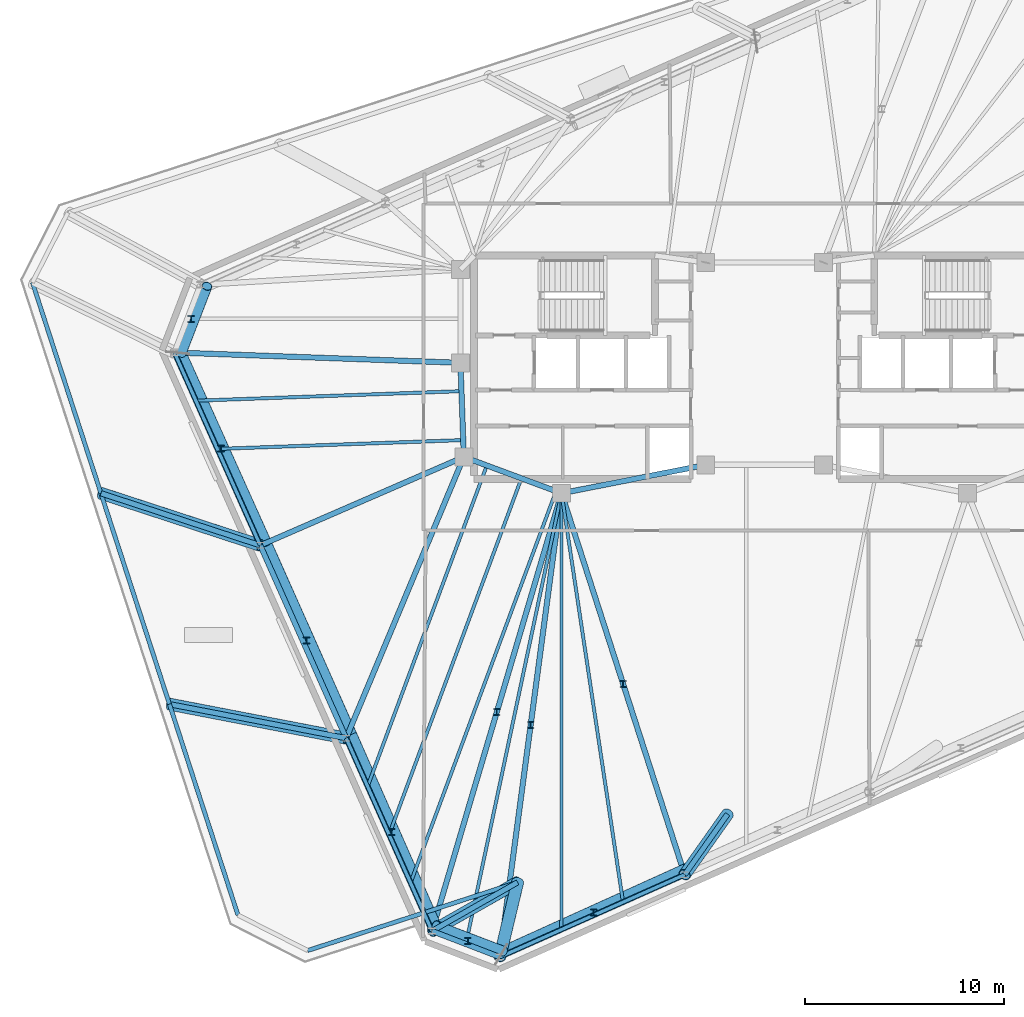
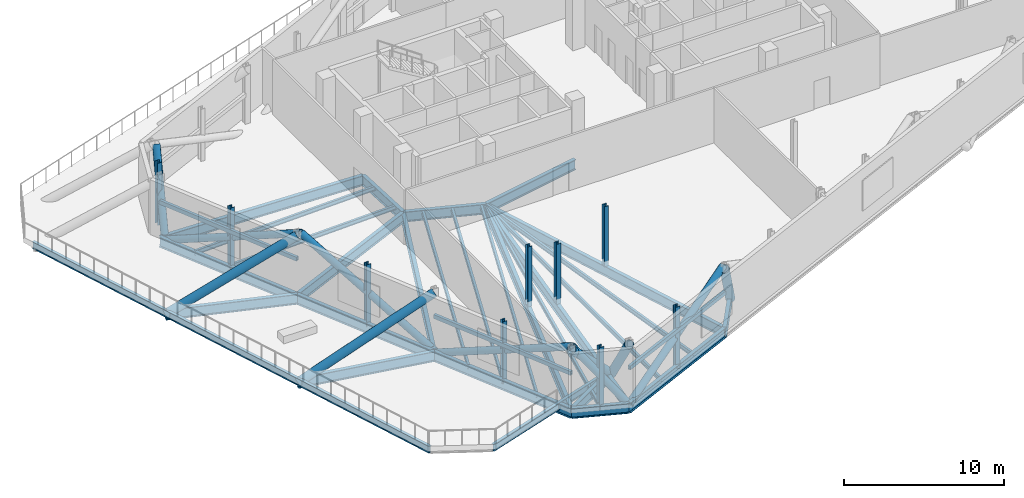
# One storey, part 4 of 15: 30 beams, 23 members.
"""IFC4 building model written with IfcOpenShell, lengths in metres."""

from ifc_helpers import new_model, si_unit, direction, frame, origin, origin_2d, place, context, subcontext, project, spatial, hollow_rectangle, hollow_circle, i_section, extrude, material, material_profile, profile_set, type_object, element, save


model = new_model("IFC4")

# Units and contexts
model_context = context("Model", 3, precision=1e-05, world=origin(), true_north=direction((0.0, 1.0)))
body_context = subcontext(model_context, "Body", "Model", "MODEL_VIEW")
ifc_project = project(units=[si_unit("LENGTHUNIT", "METRE"), si_unit("AREAUNIT", "SQUARE_METRE"), si_unit("VOLUMEUNIT", "CUBIC_METRE"), si_unit("PLANEANGLEUNIT", "RADIAN"), si_unit("MASSUNIT", "GRAM", prefix="KILO")], contexts=[model_context])

# Site, building, storey
site_placement = place(None, origin())
site = spatial("IfcSite", under=ifc_project, at=site_placement, CompositionType="ELEMENT")
building_placement = place(site_placement, origin())
building = spatial("IfcBuilding", under=site, at=building_placement, Name="Menara Jurai Vektor", CompositionType="ELEMENT")
storey_placement = place(building_placement, frame((0.0, 0.0, 254.449951171875)))
storey = spatial("IfcBuildingStorey", under=building, at=storey_placement, Name="L68", CompositionType="ELEMENT", Elevation=254.449951171875)

# Beams
ifc_material_1 = material(Name="Steel S355", Category="steel")
ifc_material_profile_1 = material_profile(ifc_material_1, i_section(OverallWidth=0.2109375, OverallDepth=0.5390625, WebThickness=0.011962890625, FlangeThickness=0.01904296875, FilletRadius=0.012939453125, at=origin_2d()), Name="UKB 533x210x109")
ifc_profile_set_1 = profile_set([ifc_material_profile_1], Name="Steel S355")
beam_type_1 = type_object("IfcBeamType", Name="STR-BM-533", PredefinedType="BEAM", material=ifc_profile_set_1)
beam_1_placement = place(storey_placement, frame((-22.912841796875, -29.2509765625, -0.674560546875), z_axis=(0.951057401967, 0.309014268544, 0.0), x_axis=(-0.309014268544, 0.951057401967, 0.0)))
element("IfcBeam", 1, at=beam_1_placement, inside=storey, type_object=beam_type_1, Name="Step Terrace Edge Beam L68-01", PredefinedType="BEAM", context=body_context, shape_type="SweptSolid", body=[
    extrude(i_section(OverallWidth=0.2109375, OverallDepth=0.5390625, WebThickness=0.011962890625, FlangeThickness=0.01904296875, FilletRadius=0.012939453125, at=origin_2d()), origin(), (0.0, 0.0, 1.0), 11.071044921875),
])
beam_2_placement = place(storey_placement, frame((-36.71337890625, 4.251953125, -0.674560546875), z_axis=(0.309012092614, -0.95105810896, 0.0), x_axis=(0.95105810896, 0.309012092614, 0.0)))
element("IfcBeam", 2, at=beam_2_placement, inside=storey, type_object=beam_type_1, Name="Step Terrace Edge Beam L68-17", PredefinedType="BEAM", context=body_context, shape_type="SweptSolid", body=[
    extrude(i_section(OverallWidth=0.2109375, OverallDepth=0.5390625, WebThickness=0.011962890625, FlangeThickness=0.01904296875, FilletRadius=0.012939453125, at=origin_2d()), origin(), (0.0, 0.0, 1.0), 11.11865234375),
])
beam_3_placement = place(storey_placement, frame((-33.277587890625, -6.322509765625, -0.674560546875), z_axis=(0.309018545885, -0.951056012178, 0.0), x_axis=(0.951056012178, 0.309018545885, 0.0)))
element("IfcBeam", 3, at=beam_3_placement, inside=storey, type_object=beam_type_1, Name="Step Terrace Edge Beam L68-18", PredefinedType="BEAM", context=body_context, shape_type="SweptSolid", body=[
    extrude(i_section(OverallWidth=0.2109375, OverallDepth=0.5390625, WebThickness=0.011962890625, FlangeThickness=0.01904296875, FilletRadius=0.012939453125, at=origin_2d()), origin(), (0.0, 0.0, 1.0), 11.118408203125),
])
beam_4_placement = place(storey_placement, frame((-29.841796875, -16.896728515625, -0.674560546875), z_axis=(0.309012092614, -0.95105810896, 0.0), x_axis=(0.95105810896, 0.309012092614, 0.0)))
element("IfcBeam", 4, at=beam_4_placement, inside=storey, type_object=beam_type_1, Name="Step Terrace Edge Beam L68-19", PredefinedType="BEAM", context=body_context, shape_type="SweptSolid", body=[
    extrude(i_section(OverallWidth=0.2109375, OverallDepth=0.5390625, WebThickness=0.011962890625, FlangeThickness=0.01904296875, FilletRadius=0.012939453125, at=origin_2d()), origin(), (0.0, 0.0, 1.0), 11.11865234375),
])
ifc_material_2 = material(Name="Steel S460", Category="steel")
ifc_material_profile_2 = material_profile(ifc_material_2, i_section(OverallWidth=0.26806640625, OverallDepth=0.77001953125, WebThickness=0.01611328125, FlangeThickness=0.02490234375, FilletRadius=0.01708984375, at=origin_2d()), Name="UKB 762x267x197")
ifc_profile_set_2 = profile_set([ifc_material_profile_2], Name="Steel S460")
beam_type_2 = type_object("IfcBeamType", Name="STR-BM-TR762", PredefinedType="BEAM", material=ifc_profile_set_2)
beam_5_placement = place(storey_placement, frame((-15.080078125, -4.5, -0.7900390625), z_axis=(-0.035977314146, 0.999352606874, 0.0), x_axis=(-0.999352606874, -0.035977314146, 0.0)))
element("IfcBeam", 5, at=beam_5_placement, inside=storey, type_object=beam_type_2, Name="Core Ring Header Girder L68-CHW-W2", PredefinedType="BEAM", context=body_context, shape_type="SweptSolid", body=[
    extrude(i_section(OverallWidth=0.26806640625, OverallDepth=0.77001953125, WebThickness=0.01611328125, FlangeThickness=0.02490234375, FilletRadius=0.01708984375, at=origin_2d()), origin(), (0.0, 0.0, 1.0), 4.72314453125),
])
beam_6_placement = place(storey_placement, frame((-15.080078125, -4.5, -0.7900390625), z_axis=(0.937424400887, -0.348188874925, 0.0), x_axis=(0.348188874925, 0.937424400887, 0.0)))
element("IfcBeam", 6, at=beam_6_placement, inside=storey, type_object=beam_type_2, Name="Core Ring Header Girder L68-CHW-S1", PredefinedType="BEAM", context=body_context, shape_type="SweptSolid", body=[
    extrude(i_section(OverallWidth=0.26806640625, OverallDepth=0.77001953125, WebThickness=0.01611328125, FlangeThickness=0.02490234375, FilletRadius=0.01708984375, at=origin_2d()), origin(), (0.0, 0.0, 1.0), 5.227294921875),
])
beam_7_placement = place(storey_placement, frame((-10.179931640625, -6.320068359375, -0.7900390625), z_axis=(0.981249044334, 0.192744164614, 0.0), x_axis=(-0.192744164614, 0.981249044334, 0.0)))
element("IfcBeam", 7, at=beam_7_placement, inside=storey, type_object=beam_type_2, Name="Core Ring Header Girder L68-CHW-S2", PredefinedType="BEAM", context=body_context, shape_type="SweptSolid", body=[
    extrude(i_section(OverallWidth=0.26806640625, OverallDepth=0.77001953125, WebThickness=0.01611328125, FlangeThickness=0.02490234375, FilletRadius=0.01708984375, at=origin_2d()), origin(), (0.0, 0.0, 1.0), 7.3681640625),
])
beam_8_placement = place(storey_placement, frame((-13.279541015625, -29.576904296875, -0.7900390625), z_axis=(0.913550519143, 0.406725274569, 0.0), x_axis=(-0.406725274569, 0.913550519143, 0.0)))
element("IfcBeam", 8, at=beam_8_placement, inside=storey, type_object=beam_type_2, Name="Belt Truss Bottom Chord L68-01", PredefinedType="BEAM", context=body_context, shape_type="SweptSolid", body=[
    extrude(i_section(OverallWidth=0.26806640625, OverallDepth=0.77001953125, WebThickness=0.01611328125, FlangeThickness=0.02490234375, FilletRadius=0.01708984375, at=origin_2d()), origin(), (0.0, 0.0, 1.0), 10.15087890625),
])
beam_9_placement = place(storey_placement, frame((-13.279541015625, -29.576904296875, -0.7900390625), z_axis=(0.132109192855, 0.991235169454, 0.0), x_axis=(-0.991235169454, 0.132109192855, 0.0)))
element("IfcBeam", 9, at=beam_9_placement, inside=storey, type_object=beam_type_2, Name="Outrigger Transfer Girder L68-S1", PredefinedType="BEAM", context=body_context, shape_type="SweptSolid", body=[
    extrude(i_section(OverallWidth=0.26806640625, OverallDepth=0.77001953125, WebThickness=0.01611328125, FlangeThickness=0.02490234375, FilletRadius=0.01708984375, at=origin_2d()), origin(), (0.0, 0.0, 1.0), 23.46240234375),
])
beam_10_placement = place(storey_placement, frame((-1.854248046875, -22.40869140625, -0.7900390625), z_axis=(-0.577809968334, -0.816171330356, 0.0), x_axis=(0.816171330356, -0.577809968334, 0.0)))
element("IfcBeam", 10, at=beam_10_placement, inside=storey, type_object=beam_type_2, Name="Cantilever Transfer Girder L68-S2", PredefinedType="BEAM", context=body_context, shape_type="SweptSolid", body=[
    extrude(i_section(OverallWidth=0.26806640625, OverallDepth=0.77001953125, WebThickness=0.01611328125, FlangeThickness=0.02490234375, FilletRadius=0.01708984375, at=origin_2d()), origin(), (0.0, 0.0, 1.0), 3.72412109375),
])
beam_11_placement = place(storey_placement, frame((-4.006103515625, -25.4482421875, -0.7900390625), z_axis=(-0.307158217721, 0.95165846252, 0.0), x_axis=(-0.95165846252, -0.307158217721, 0.0)))
element("IfcBeam", 11, at=beam_11_placement, inside=storey, type_object=beam_type_2, Name="Outrigger Transfer Girder L68-S2", PredefinedType="BEAM", context=body_context, shape_type="SweptSolid", body=[
    extrude(i_section(OverallWidth=0.26806640625, OverallDepth=0.77001953125, WebThickness=0.01611328125, FlangeThickness=0.02490234375, FilletRadius=0.01708984375, at=origin_2d()), origin(), (0.0, 0.0, 1.0), 20.099853515625),
])
beam_12_placement = place(storey_placement, frame((-29.591796875, 0.73681640625, -0.7900390625), z_axis=(0.40673543049, -0.91354599752, 0.0), x_axis=(0.91354599752, 0.40673543049, 0.0)))
element("IfcBeam", 12, at=beam_12_placement, inside=storey, type_object=beam_type_2, Name="Belt Truss Bottom Chord L68-17", PredefinedType="BEAM", context=body_context, shape_type="SweptSolid", body=[
    extrude(i_section(OverallWidth=0.26806640625, OverallDepth=0.77001953125, WebThickness=0.01611328125, FlangeThickness=0.02490234375, FilletRadius=0.01708984375, at=origin_2d()), origin(), (0.0, 0.0, 1.0), 10.585205078125),
])
beam_13_placement = place(storey_placement, frame((-29.591796875, 0.73681640625, -0.7900390625), z_axis=(0.999351273077, -0.03601434436, 0.0), x_axis=(0.03601434436, 0.999351273077, 0.0)))
element("IfcBeam", 13, at=beam_13_placement, inside=storey, type_object=beam_type_2, Name="Outrigger Transfer Girder L68-W1", PredefinedType="BEAM", context=body_context, shape_type="SweptSolid", body=[
    extrude(i_section(OverallWidth=0.26806640625, OverallDepth=0.77001953125, WebThickness=0.01611328125, FlangeThickness=0.02490234375, FilletRadius=0.01708984375, at=origin_2d()), origin(), (0.0, 0.0, 1.0), 14.35107421875),
])
beam_14_placement = place(storey_placement, frame((-25.286376953125, -8.933349609375, -0.7900390625), z_axis=(0.406744000616, -0.913542181819, 0.0), x_axis=(0.913542181819, 0.406744000616, 0.0)))
element("IfcBeam", 14, at=beam_14_placement, inside=storey, type_object=beam_type_2, Name="Belt Truss Bottom Chord L68-18", PredefinedType="BEAM", context=body_context, shape_type="SweptSolid", body=[
    extrude(i_section(OverallWidth=0.26806640625, OverallDepth=0.77001953125, WebThickness=0.01611328125, FlangeThickness=0.02490234375, FilletRadius=0.01708984375, at=origin_2d()), origin(), (0.0, 0.0, 1.0), 10.585205078125),
])
beam_15_placement = place(storey_placement, frame((-33.277587890625, -6.322509765625, -0.7900390625), z_axis=(0.950554029613, -0.310559232332, 0.0), x_axis=(0.310559232332, 0.950554029613, 0.0)))
element("IfcBeam", 15, at=beam_15_placement, inside=storey, type_object=beam_type_2, Name="Cantilever Transfer Girder L68-W2", PredefinedType="BEAM", context=body_context, shape_type="SweptSolid", body=[
    extrude(i_section(OverallWidth=0.26806640625, OverallDepth=0.77001953125, WebThickness=0.01611328125, FlangeThickness=0.02490234375, FilletRadius=0.01708984375, at=origin_2d()), origin(), (0.0, 0.0, 1.0), 8.406982421875),
])
beam_16_placement = place(storey_placement, frame((-25.286376953125, -8.933349609375, -0.7900390625), z_axis=(0.917207084259, 0.398410798781, 0.0), x_axis=(-0.398410798781, 0.917207084259, 0.0)))
element("IfcBeam", 16, at=beam_16_placement, inside=storey, type_object=beam_type_2, Name="Outrigger Transfer Girder L68-W2", PredefinedType="BEAM", context=body_context, shape_type="SweptSolid", body=[
    extrude(i_section(OverallWidth=0.26806640625, OverallDepth=0.77001953125, WebThickness=0.01611328125, FlangeThickness=0.02490234375, FilletRadius=0.01708984375, at=origin_2d()), origin(), (0.0, 0.0, 1.0), 11.127685546875),
])
beam_17_placement = place(storey_placement, frame((-20.98095703125, -18.603271484375, -0.7900390625), z_axis=(0.40673543049, -0.91354599752, 0.0), x_axis=(0.91354599752, 0.40673543049, 0.0)))
element("IfcBeam", 17, at=beam_17_placement, inside=storey, type_object=beam_type_2, Name="Belt Truss Bottom Chord L68-19", PredefinedType="BEAM", context=body_context, shape_type="SweptSolid", body=[
    extrude(i_section(OverallWidth=0.26806640625, OverallDepth=0.77001953125, WebThickness=0.01611328125, FlangeThickness=0.02490234375, FilletRadius=0.01708984375, at=origin_2d()), origin(), (0.0, 0.0, 1.0), 10.585205078125),
])
beam_18_placement = place(storey_placement, frame((-29.841796875, -16.896728515625, -0.7900390625), z_axis=(0.981954305468, -0.189118327967, 0.0), x_axis=(0.189118327967, 0.981954305468, 0.0)))
element("IfcBeam", 18, at=beam_18_placement, inside=storey, type_object=beam_type_2, Name="Cantilever Transfer Girder L68-W3", PredefinedType="BEAM", context=body_context, shape_type="SweptSolid", body=[
    extrude(i_section(OverallWidth=0.26806640625, OverallDepth=0.77001953125, WebThickness=0.01611328125, FlangeThickness=0.02490234375, FilletRadius=0.01708984375, at=origin_2d()), origin(), (0.0, 0.0, 1.0), 9.023681640625),
])
beam_19_placement = place(storey_placement, frame((-20.98095703125, -18.603271484375, -0.7900390625), z_axis=(0.38598134247, 0.922506587112, 0.0), x_axis=(-0.922506587112, 0.38598134247, 0.0)))
element("IfcBeam", 19, at=beam_19_placement, inside=storey, type_object=beam_type_2, Name="Outrigger Transfer Girder L68-W3", PredefinedType="BEAM", context=body_context, shape_type="SweptSolid", body=[
    extrude(i_section(OverallWidth=0.26806640625, OverallDepth=0.77001953125, WebThickness=0.01611328125, FlangeThickness=0.02490234375, FilletRadius=0.01708984375, at=origin_2d()), origin(), (0.0, 0.0, 1.0), 15.2880859375),
])
beam_20_placement = place(storey_placement, frame((-16.675537109375, -28.2734375, -0.7900390625), z_axis=(0.933592747566, -0.358335850414, 0.0), x_axis=(0.358335850414, 0.933592747566, 0.0)))
element("IfcBeam", 20, at=beam_20_placement, inside=storey, type_object=beam_type_2, Name="Belt Truss Bottom Chord L68-20", PredefinedType="BEAM", context=body_context, shape_type="SweptSolid", body=[
    extrude(i_section(OverallWidth=0.26806640625, OverallDepth=0.77001953125, WebThickness=0.01611328125, FlangeThickness=0.02490234375, FilletRadius=0.01708984375, at=origin_2d()), origin(), (0.0, 0.0, 1.0), 3.637451171875),
])
beam_21_placement = place(storey_placement, frame((-12.383544921875, -25.829833984375, -0.7900390625), z_axis=(-0.869023858653, -0.494770182097, 0.0), x_axis=(0.494770182097, -0.869023858653, 0.0)))
element("IfcBeam", 21, at=beam_21_placement, inside=storey, type_object=beam_type_2, Name="Cantilever Transfer Girder L68-W4", PredefinedType="BEAM", context=body_context, shape_type="SweptSolid", body=[
    extrude(i_section(OverallWidth=0.26806640625, OverallDepth=0.77001953125, WebThickness=0.01611328125, FlangeThickness=0.02490234375, FilletRadius=0.01708984375, at=origin_2d()), origin(), (0.0, 0.0, 1.0), 4.93896484375),
])
beam_22_placement = place(storey_placement, frame((-16.675537109375, -28.2734375, -0.7900390625), z_axis=(0.283723047838, 0.958906268686, 0.0), x_axis=(-0.958906268686, 0.283723047838, 0.0)))
element("IfcBeam", 22, at=beam_22_placement, inside=storey, type_object=beam_type_2, Name="Outrigger Transfer Girder L68-W4", PredefinedType="BEAM", context=body_context, shape_type="SweptSolid", body=[
    extrude(i_section(OverallWidth=0.26806640625, OverallDepth=0.77001953125, WebThickness=0.01611328125, FlangeThickness=0.02490234375, FilletRadius=0.01708984375, at=origin_2d()), origin(), (0.0, 0.0, 1.0), 22.894287109375),
])

# Members
ifc_material_profile_3 = material_profile(ifc_material_2, hollow_circle(Radius=0.25390625, WallThickness=0.02001953125, at=origin_2d()), Name="CHS 508x20")
ifc_profile_set_3 = profile_set([ifc_material_profile_3], Name="Steel S460")
member_type_1 = type_object("IfcMemberType", Name="STR-BR-508", PredefinedType="BRACE", material=ifc_profile_set_3)
member_1_placement = place(storey_placement, frame((-13.109619140625, -29.282470703125, -0.7900390625), z_axis=(0.822494297747, 0.372286662782, 0.430006710282), x_axis=(-0.412357187345, 0.911022255516, 0.0)))
element("IfcMember", 23, at=member_1_placement, inside=storey, type_object=member_type_1, Name="Belt Truss Web Diagonal L68-01", PredefinedType="BRACE", context=body_context, shape_type="SweptSolid", body=[
    extrude(hollow_circle(Radius=0.25390625, WallThickness=0.02001953125, at=origin_2d()), origin(), (0.0, 0.0, 1.0), 11.17919921875),
])
member_2_placement = place(storey_placement, frame((-29.25341796875, 0.70361328125, -0.7900390625), z_axis=(0.2160933667, 0.55917613851, 0.800390968833), x_axis=(-0.932771191327, 0.360469006477, 0.0)))
element("IfcMember", 24, at=member_2_placement, inside=storey, type_object=member_type_1, Name="Belt Truss Web Diagonal L68-16", PredefinedType="BRACE", context=body_context, shape_type="SweptSolid", body=[
    extrude(hollow_circle(Radius=0.25390625, WallThickness=0.02001953125, at=origin_2d()), origin(), (0.0, 0.0, 1.0), 6.005859375),
])
member_3_placement = place(storey_placement, frame((-29.25341796875, 0.70361328125, -0.7900390625), z_axis=(0.372757336044, -0.829001305204, 0.416903831111), x_axis=(0.912042199013, 0.410096363334, 0.0)))
element("IfcMember", 25, at=member_3_placement, inside=storey, type_object=member_type_1, Name="Belt Truss Web Diagonal L68-17", PredefinedType="BRACE", context=body_context, shape_type="SweptSolid", body=[
    extrude(hollow_circle(Radius=0.25390625, WallThickness=0.02001953125, at=origin_2d()), origin(), (0.0, 0.0, 1.0), 11.530517578125),
])
member_4_placement = place(storey_placement, frame((-20.701416015625, -18.40966796875, -0.7900390625), z_axis=(-0.369567481954, 0.830063326807, 0.417629919633), x_axis=(-0.913545671014, -0.406736163836, 0.0)))
element("IfcMember", 26, at=member_4_placement, inside=storey, type_object=member_type_1, Name="Belt Truss Web Diagonal L68-18", PredefinedType="BRACE", context=body_context, shape_type="SweptSolid", body=[
    extrude(hollow_circle(Radius=0.25390625, WallThickness=0.02001953125, at=origin_2d()), origin(), (0.0, 0.0, 1.0), 11.510498046875),
])
member_5_placement = place(storey_placement, frame((-20.701416015625, -18.40966796875, -0.7900390625), z_axis=(0.366660881006, -0.831714850541, 0.416905511752), x_axis=(0.915028335647, 0.403389569726, 0.0)))
element("IfcMember", 27, at=member_5_placement, inside=storey, type_object=member_type_1, Name="Belt Truss Web Diagonal L68-19", PredefinedType="BRACE", context=body_context, shape_type="SweptSolid", body=[
    extrude(hollow_circle(Radius=0.25390625, WallThickness=0.02001953125, at=origin_2d()), origin(), (0.0, 0.0, 1.0), 11.530517578125),
])
member_6_placement = place(storey_placement, frame((-13.109619140625, -29.282470703125, -0.7900390625), z_axis=(-0.560121276938, 0.213576978666, 0.800405540526), x_axis=(-0.356282939978, -0.934378117617, 0.0)))
element("IfcMember", 28, at=member_6_placement, inside=storey, type_object=member_type_1, Name="Belt Truss Web Diagonal L68-20", PredefinedType="BRACE", context=body_context, shape_type="SweptSolid", body=[
    extrude(hollow_circle(Radius=0.25390625, WallThickness=0.02001953125, at=origin_2d()), origin(), (0.0, 0.0, 1.0), 6.005859375),
])
ifc_material_profile_4 = material_profile(ifc_material_2, hollow_rectangle(XDim=0.199951171875, YDim=0.300048828125, WallThickness=0.012451171875, at=origin_2d()), Name="RHS 300x200x12.5")
ifc_profile_set_4 = profile_set([ifc_material_profile_4], Name="Steel S460")
member_type_2 = type_object("IfcMemberType", Name="STR-CH-RHS300", PredefinedType="CHORD", material=ifc_profile_set_4)
member_7_placement = place(storey_placement, frame((-13.279541015625, -29.576904296875, 2.22998046875), z_axis=(0.913550519143, 0.406725274569, 0.0), x_axis=(-0.406725274569, 0.913550519143, 0.0)))
element("IfcMember", 29, at=member_7_placement, inside=storey, type_object=member_type_2, Name="Belt Truss Mid Chord L68-01", PredefinedType="CHORD", context=body_context, shape_type="SweptSolid", body=[
    extrude(hollow_rectangle(XDim=0.199951171875, YDim=0.300048828125, WallThickness=0.012451171875, at=origin_2d()), origin(), (0.0, 0.0, 1.0), 10.15087890625),
])
for number, where, z_axis, x_axis, name in (
    (30, (-29.591796875, 0.73681640625, 2.22998046875), (0.40673543049, -0.91354599752, 0.0), (0.91354599752, 0.40673543049, 0.0), "Belt Truss Mid Chord L68-17"),
    (31, (-20.98095703125, -18.603271484375, 2.22998046875), (0.40673543049, -0.91354599752, 0.0), (0.91354599752, 0.40673543049, 0.0), "Belt Truss Mid Chord L68-19"),
):
    element("IfcMember", number, at=place(storey_placement, frame(where, z_axis=z_axis, x_axis=x_axis)), inside=storey, type_object=member_type_2, Name=name, PredefinedType="CHORD", context=body_context, shape_type="SweptSolid", body=[
        extrude(hollow_rectangle(XDim=0.199951171875, YDim=0.300048828125, WallThickness=0.012451171875, at=origin_2d()), origin(), (0.0, 0.0, 1.0), 10.585205078125),
    ])

# Beams
ifc_material_profile_5 = material_profile(ifc_material_1, i_section(OverallWidth=0.1650390625, OverallDepth=0.330078125, WebThickness=0.009033203125, FlangeThickness=0.013916015625, at=origin_2d()), Name="PG 330x165x46")
ifc_profile_set_5 = profile_set([ifc_material_profile_5], Name="Steel S355")
beam_type_3 = type_object("IfcBeamType", Name="STR-JS-330", PredefinedType="JOIST", material=ifc_profile_set_5)
beam_23_placement = place(storey_placement, frame((-10.188232421875, -28.20068359375, -0.570068359375), z_axis=(0.000379366876, 0.99999992804, 0.0), x_axis=(-0.99999992804, 0.000379366876, 0.0)))
element("IfcBeam", 32, at=beam_23_placement, inside=storey, type_object=beam_type_3, Name="Radial Secondary Floor Joist L68-JS01", PredefinedType="JOIST", context=body_context, shape_type="SweptSolid", body=[
    extrude(i_section(OverallWidth=0.1650390625, OverallDepth=0.330078125, WebThickness=0.009033203125, FlangeThickness=0.013916015625, at=origin_2d()), origin(), (0.0, 0.0, 1.0), 21.880615234375),
])
beam_24_placement = place(storey_placement, frame((-7.09716796875, -26.824462890625, -0.570068359375), z_axis=(-0.148675540239, 0.988886031722, 0.0), x_axis=(-0.988886031722, -0.148675540239, 0.0)))
element("IfcBeam", 33, at=beam_24_placement, inside=storey, type_object=beam_type_3, Name="Radial Secondary Floor Joist L68-JS02", PredefinedType="JOIST", context=body_context, shape_type="SweptSolid", body=[
    extrude(i_section(OverallWidth=0.1650390625, OverallDepth=0.330078125, WebThickness=0.009033203125, FlangeThickness=0.013916015625, at=origin_2d()), origin(), (0.0, 0.0, 1.0), 20.73486328125),
])
beam_25_placement = place(storey_placement, frame((-28.515380859375, -1.6806640625, -0.570068359375), z_axis=(0.999352378837, 0.035983647851, 0.0), x_axis=(-0.035983647851, 0.999352378837, 0.0)))
element("IfcBeam", 34, at=beam_25_placement, inside=storey, type_object=beam_type_3, Name="Radial Secondary Floor Joist L68-JS26", PredefinedType="JOIST", context=body_context, shape_type="SweptSolid", body=[
    extrude(i_section(OverallWidth=0.1650390625, OverallDepth=0.330078125, WebThickness=0.009033203125, FlangeThickness=0.013916015625, at=origin_2d()), origin(), (0.0, 0.0, 1.0), 13.3251953125),
])
beam_26_placement = place(storey_placement, frame((-27.43896484375, -4.09814453125, -0.570068359375), z_axis=(0.999352552329, 0.03597882924, 0.0), x_axis=(-0.03597882924, 0.999352552329, 0.0)))
element("IfcBeam", 35, at=beam_26_placement, inside=storey, type_object=beam_type_3, Name="Radial Secondary Floor Joist L68-JS27", PredefinedType="JOIST", context=body_context, shape_type="SweptSolid", body=[
    extrude(i_section(OverallWidth=0.1650390625, OverallDepth=0.330078125, WebThickness=0.009033203125, FlangeThickness=0.013916015625, at=origin_2d()), origin(), (0.0, 0.0, 1.0), 12.33642578125),
])
beam_27_placement = place(storey_placement, frame((-19.904541015625, -21.020751953125, -0.570068359375), z_axis=(0.348190100331, 0.937423945732, 0.0), x_axis=(-0.937423945732, 0.348190100331, 0.0)))
element("IfcBeam", 36, at=beam_27_placement, inside=storey, type_object=beam_type_3, Name="Radial Secondary Floor Joist L68-JS28", PredefinedType="JOIST", context=body_context, shape_type="SweptSolid", body=[
    extrude(i_section(OverallWidth=0.1650390625, OverallDepth=0.330078125, WebThickness=0.009033203125, FlangeThickness=0.013916015625, at=origin_2d()), origin(), (0.0, 0.0, 1.0), 17.166748046875),
])
beam_28_placement = place(storey_placement, frame((-18.828125, -23.4384765625, -0.570068359375), z_axis=(0.348177845571, 0.937428497462, 0.0), x_axis=(-0.937428497462, 0.348177845571, 0.0)))
element("IfcBeam", 37, at=beam_28_placement, inside=storey, type_object=beam_type_3, Name="Radial Secondary Floor Joist L68-JS29", PredefinedType="JOIST", context=body_context, shape_type="SweptSolid", body=[
    extrude(i_section(OverallWidth=0.1650390625, OverallDepth=0.330078125, WebThickness=0.009033203125, FlangeThickness=0.013916015625, at=origin_2d()), origin(), (0.0, 0.0, 1.0), 19.05859375),
])
beam_29_placement = place(storey_placement, frame((-17.751953125, -25.85595703125, -0.570068359375), z_axis=(0.348185651823, 0.937425598042, 0.0), x_axis=(-0.937425598042, 0.348185651823, 0.0)))
element("IfcBeam", 38, at=beam_29_placement, inside=storey, type_object=beam_type_3, Name="Radial Secondary Floor Joist L68-JS30", PredefinedType="JOIST", context=body_context, shape_type="SweptSolid", body=[
    extrude(i_section(OverallWidth=0.1650390625, OverallDepth=0.330078125, WebThickness=0.009033203125, FlangeThickness=0.013916015625, at=origin_2d()), origin(), (0.0, 0.0, 1.0), 20.949951171875),
])
beam_30_placement = place(storey_placement, frame((-14.9775390625, -28.92529296875, -0.570068359375), z_axis=(0.207610208592, 0.978211634202, 0.0), x_axis=(-0.978211634202, 0.207610208592, 0.0)))
element("IfcBeam", 39, at=beam_30_placement, inside=storey, type_object=beam_type_3, Name="Radial Secondary Floor Joist L68-JS31", PredefinedType="JOIST", context=body_context, shape_type="SweptSolid", body=[
    extrude(i_section(OverallWidth=0.1650390625, OverallDepth=0.330078125, WebThickness=0.009033203125, FlangeThickness=0.013916015625, at=origin_2d()), origin(), (0.0, 0.0, 1.0), 23.108642578125),
])

# Members
ifc_material_profile_6 = material_profile(ifc_material_2, i_section(OverallWidth=0.31103515625, OverallDepth=0.326904296875, WebThickness=0.01611328125, FlangeThickness=0.02490234375, FilletRadius=0.014892578125, at=origin_2d()), Name="UKC 305x305x158")
ifc_profile_set_6 = profile_set([ifc_material_profile_6], Name="Steel S460")
member_type_3 = type_object("IfcMemberType", Name="STR-POST-305", PredefinedType="POST", material=ifc_profile_set_6)
member_8_placement = place(storey_placement, frame((-11.729736328125, -17.948486328125, -0.405029296875), z_axis=(0.0, 0.0, 1.0), x_axis=(1.0, 0.0, 0.0)))
element("IfcMember", 40, at=member_8_placement, inside=storey, type_object=member_type_3, Name="Girder Hanger L68-S1", PredefinedType="POST", context=body_context, shape_type="SweptSolid", body=[
    extrude(i_section(OverallWidth=0.31103515625, OverallDepth=0.326904296875, WebThickness=0.01611328125, FlangeThickness=0.02490234375, FilletRadius=0.014892578125, at=origin_2d()), origin(), (0.0, 0.0, 1.0), 4.580078125),
])
member_9_placement = place(storey_placement, frame((-8.5703125, -27.347900390625, -0.7548828125), z_axis=(0.0, 0.0, 1.0), x_axis=(1.0, 0.0, 0.0)))
element("IfcMember", 41, at=member_9_placement, inside=storey, type_object=member_type_3, Name="Belt Truss Vertical Web Post L68-01", PredefinedType="POST", context=body_context, shape_type="SweptSolid", body=[
    extrude(i_section(OverallWidth=0.31103515625, OverallDepth=0.326904296875, WebThickness=0.01611328125, FlangeThickness=0.02490234375, FilletRadius=0.014892578125, at=origin_2d()), origin(), (0.0, 0.0, 1.0), 4.72998046875),
])
member_10_placement = place(storey_placement, frame((-7.093017578125, -15.884033203125, -0.405029296875), z_axis=(0.0, 0.0, 1.0), x_axis=(1.0, 0.0, 0.0)))
element("IfcMember", 42, at=member_10_placement, inside=storey, type_object=member_type_3, Name="Girder Hanger L68-S2", PredefinedType="POST", context=body_context, shape_type="SweptSolid", body=[
    extrude(i_section(OverallWidth=0.31103515625, OverallDepth=0.326904296875, WebThickness=0.01611328125, FlangeThickness=0.02490234375, FilletRadius=0.014892578125, at=origin_2d()), origin(), (0.0, 0.0, 1.0), 4.580078125),
])
for number, where, z_axis, x_axis, name in (
    (43, (-28.761962890625, 2.407470703125, -0.7548828125), (0.0, 0.0, 1.0), (1.0, 0.0, 0.0), "Belt Truss Vertical Web Post L68-16"),
    (44, (-27.25927734375, -4.087890625, -0.7548828125), (0.0, 0.0, 1.0), (1.0, 0.0, 0.0), "Belt Truss Vertical Web Post L68-17"),
    (45, (-22.96923828125, -13.695068359375, -0.7548828125), (0.0, 0.0, 1.0), (1.0, 0.0, 0.0), "Belt Truss Vertical Web Post L68-18"),
    (46, (-18.700439453125, -23.311767578125, -0.7548828125), (0.0, 0.0, 1.0), (1.0, 0.0, 0.0), "Belt Truss Vertical Web Post L68-19"),
):
    element("IfcMember", number, at=place(storey_placement, frame(where, z_axis=z_axis, x_axis=x_axis)), inside=storey, type_object=member_type_3, Name=name, PredefinedType="POST", context=body_context, shape_type="SweptSolid", body=[
        extrude(i_section(OverallWidth=0.31103515625, OverallDepth=0.326904296875, WebThickness=0.01611328125, FlangeThickness=0.02490234375, FilletRadius=0.014892578125, at=origin_2d()), origin(), (0.0, 0.0, 1.0), 4.72998046875),
    ])
member_11_placement = place(storey_placement, frame((-13.427734375, -17.296630859375, -0.405029296875), z_axis=(0.0, 0.0, 1.0), x_axis=(1.0, 0.0, 0.0)))
element("IfcMember", 47, at=member_11_placement, inside=storey, type_object=member_type_3, Name="Girder Hanger L68-W4", PredefinedType="POST", context=body_context, shape_type="SweptSolid", body=[
    extrude(i_section(OverallWidth=0.31103515625, OverallDepth=0.326904296875, WebThickness=0.01611328125, FlangeThickness=0.02490234375, FilletRadius=0.014892578125, at=origin_2d()), origin(), (0.0, 0.0, 1.0), 4.580078125),
])
member_12_placement = place(storey_placement, frame((-14.87890625, -28.774658203125, -0.7548828125), z_axis=(0.0, 0.0, 1.0), x_axis=(1.0, 0.0, 0.0)))
element("IfcMember", 48, at=member_12_placement, inside=storey, type_object=member_type_3, Name="Belt Truss Vertical Web Post L68-20", PredefinedType="POST", context=body_context, shape_type="SweptSolid", body=[
    extrude(i_section(OverallWidth=0.31103515625, OverallDepth=0.326904296875, WebThickness=0.01611328125, FlangeThickness=0.02490234375, FilletRadius=0.014892578125, at=origin_2d()), origin(), (0.0, 0.0, 1.0), 4.72998046875),
])
ifc_material_profile_7 = material_profile(ifc_material_2, hollow_circle(Radius=0.304931640625, WallThickness=0.02490234375, at=origin_2d()), Name="CHS 610x25")
ifc_profile_set_7 = profile_set([ifc_material_profile_7], Name="Steel S460")
member_type_4 = type_object("IfcMemberType", Name="STR-ST-610", PredefinedType="STRUT", material=ifc_profile_set_7)
member_13_placement = place(storey_placement, frame((-12.383544921875, -25.829833984375, -0.7900390625), z_axis=(-0.145441966083, -0.608240679955, 0.780313981516), x_axis=(0.972581384418, -0.23256278869, 0.0)))
element("IfcMember", 49, at=member_13_placement, inside=storey, type_object=member_type_4, Name="Transfer Outrigger Strut L68-S1", PredefinedType="STRUT", context=body_context, shape_type="SweptSolid", body=[
    extrude(hollow_circle(Radius=0.304931640625, WallThickness=0.02490234375, at=origin_2d()), origin(), (0.0, 0.0, 1.0), 6.160400390625),
])
member_14_placement = place(storey_placement, frame((-1.854248046875, -22.40869140625, -0.7900390625), z_axis=(-0.353868848812, -0.499848782358, 0.790523897561), x_axis=(0.816171330356, -0.577809968334, 0.0)))
element("IfcMember", 50, at=member_14_placement, inside=storey, type_object=member_type_4, Name="Transfer Outrigger Strut L68-S2", PredefinedType="STRUT", context=body_context, shape_type="SweptSolid", body=[
    extrude(hollow_circle(Radius=0.304931640625, WallThickness=0.02490234375, at=origin_2d()), origin(), (0.0, 0.0, 1.0), 6.0810546875),
])
member_15_placement = place(storey_placement, frame((-33.277587890625, -6.322265625, -0.7900390625), z_axis=(0.825171618371, -0.269620263304, 0.496383635761), x_axis=(0.310585471617, 0.950545456472, 0.0)))
element("IfcMember", 51, at=member_15_placement, inside=storey, type_object=member_type_4, Name="Transfer Outrigger Strut L68-W2", PredefinedType="STRUT", context=body_context, shape_type="SweptSolid", body=[
    extrude(hollow_circle(Radius=0.304931640625, WallThickness=0.02490234375, at=origin_2d()), origin(), (0.0, 0.0, 1.0), 9.684326171875),
])
member_16_placement = place(storey_placement, frame((-29.841796875, -16.896728515625, -0.7900390625), z_axis=(0.866649488687, -0.166911333166, 0.4701694063), x_axis=(0.189118327967, 0.981954305468, 0.0)))
element("IfcMember", 52, at=member_16_placement, inside=storey, type_object=member_type_4, Name="Transfer Outrigger Strut L68-W3", PredefinedType="STRUT", context=body_context, shape_type="SweptSolid", body=[
    extrude(hollow_circle(Radius=0.304931640625, WallThickness=0.02490234375, at=origin_2d()), origin(), (0.0, 0.0, 1.0), 10.224365234375),
])
member_17_placement = place(storey_placement, frame((-12.383544921875, -25.829833984375, -0.7900390625), z_axis=(-0.622741888718, -0.354551966108, 0.69748508469), x_axis=(0.494770182097, -0.869023858653, 0.0)))
element("IfcMember", 53, at=member_17_placement, inside=storey, type_object=member_type_4, Name="Transfer Outrigger Strut L68-W4", PredefinedType="STRUT", context=body_context, shape_type="SweptSolid", body=[
    extrude(hollow_circle(Radius=0.304931640625, WallThickness=0.02490234375, at=origin_2d()), origin(), (0.0, 0.0, 1.0), 6.89208984375),
])

save(model, "model.ifc")
